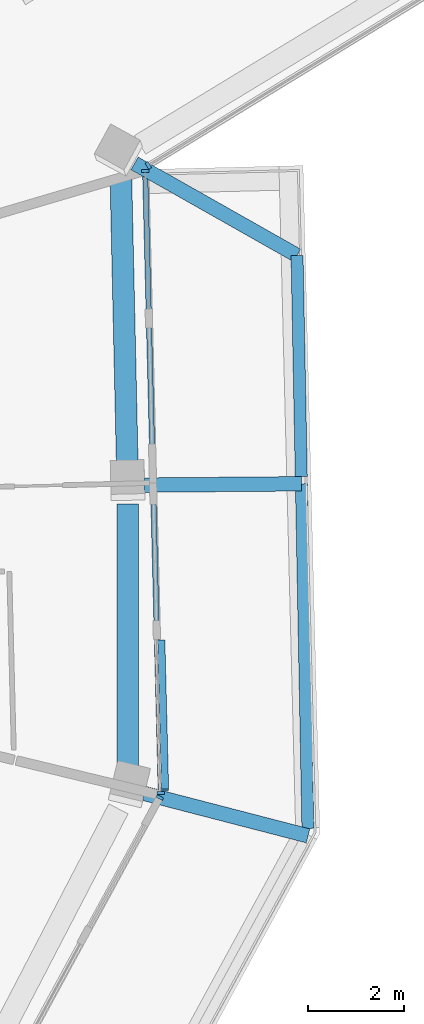
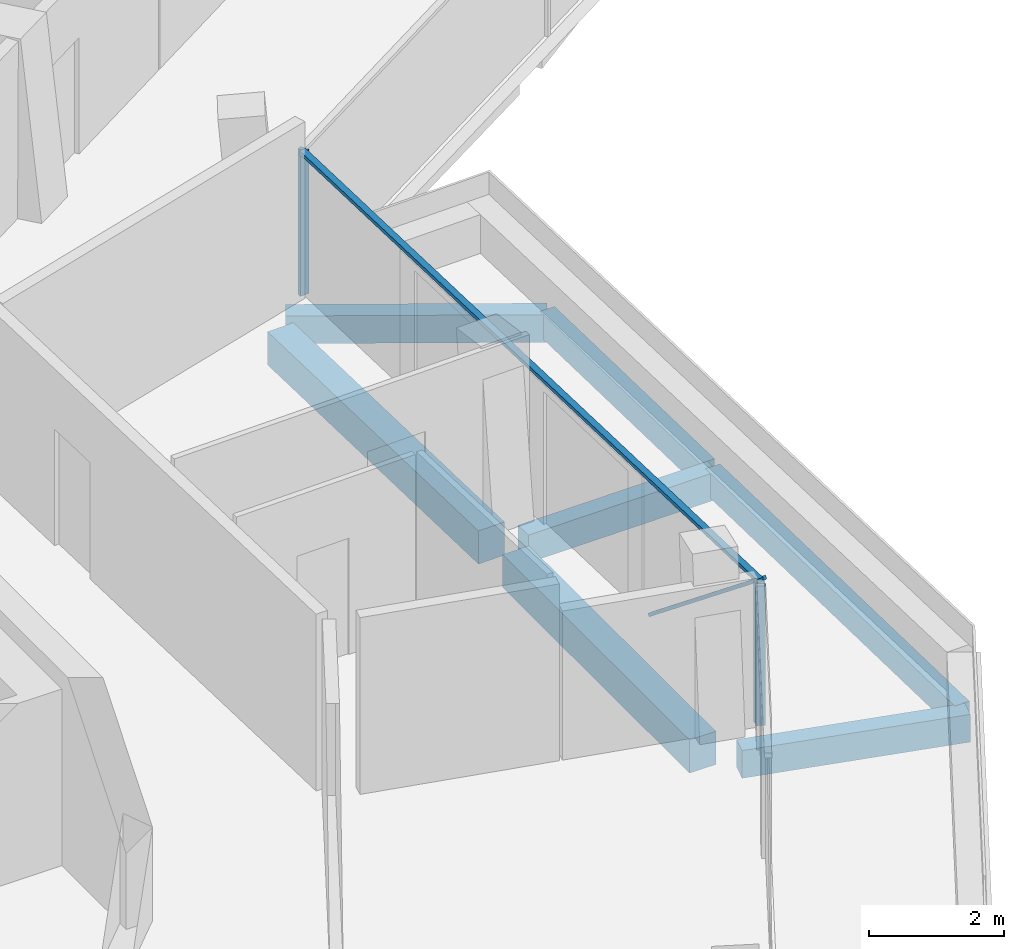
# One storey, part 7 of 26: 7 beams, 6 members, 3 elements without a shape of their own.
"""IFC4 building model written with IfcOpenShell, lengths in metres."""

from ifc_helpers import new_model, si_unit, direction, frame, origin, origin_2d, place, context, subcontext, project, spatial, rectangle, extrude, material, layer, layer_set, material_profile, profile_set, type_object, element, aggregate, save


model = new_model("IFC4")

# Units and contexts
model_context = context("Model", 3, precision=1e-05, world=origin(), true_north=direction((0.0, 1.0)))
body_context = subcontext(model_context, "Body", "Model", "MODEL_VIEW")
ifc_project = project(units=[si_unit("LENGTHUNIT", "METRE"), si_unit("AREAUNIT", "SQUARE_METRE"), si_unit("VOLUMEUNIT", "CUBIC_METRE"), si_unit("PLANEANGLEUNIT", "RADIAN"), si_unit("MASSUNIT", "GRAM", prefix="KILO")], contexts=[model_context])

# Site, building, storey
site_placement = place(None, origin())
site = spatial("IfcSite", under=ifc_project, at=site_placement, CompositionType="ELEMENT")
building_placement = place(site_placement, origin())
building = spatial("IfcBuilding", under=site, at=building_placement, Name="Verdalira Terraces Hotel", CompositionType="ELEMENT")
storey_placement = place(building_placement, frame((0.0, 0.0, 284.5)))
storey = spatial("IfcBuildingStorey", under=building, at=storey_placement, Name="L70", CompositionType="ELEMENT", Elevation=284.5)

# Beams
ifc_material_1 = material(Name="Concrete C40", Category="concrete")
ifc_material_profile_1 = material_profile(ifc_material_1, rectangle(XDim=0.300049, YDim=0.5, at=origin_2d()), Name="RC 300X500")
ifc_profile_set_1 = profile_set([ifc_material_profile_1], Name="Concrete C40")
beam_type_1 = type_object("IfcBeamType", Name="Balcony cantilever beam RC 300X500 C40", PredefinedType="BEAM", material=ifc_profile_set_1)
beam_1_placement = place(storey_placement, frame((23.999268, -5.831543, -0.560059), z_axis=(0.96806586, -0.250696013, 0.0), x_axis=(0.250696013, 0.96806586, 0.0)))
element("IfcBeam", 1, at=beam_1_placement, inside=storey, type_object=beam_type_1, Name="Balcony cantilever beam R26-3", PredefinedType="BEAM", context=body_context, shape_type="SweptSolid", body=[
    extrude(rectangle(XDim=0.300049, YDim=0.5, at=origin_2d()), origin(), (0.0, 0.0, 1.0), 3.501953),
])
beam_2_placement = place(storey_placement, frame((24.001465, 0.5625, -0.560059), z_axis=(0.999965254, 0.008336173, 0.0), x_axis=(-0.008336173, 0.999965254, 0.0)))
element("IfcBeam", 2, at=beam_2_placement, inside=storey, type_object=beam_type_1, Name="Balcony cantilever beam R26-4", PredefinedType="BEAM", context=body_context, shape_type="SweptSolid", body=[
    extrude(rectangle(XDim=0.300049, YDim=0.5, at=origin_2d()), origin(), (0.0, 0.0, 1.0), 3.250732),
])
beam_3_placement = place(storey_placement, frame((23.794189, 7.231445, -0.560059), z_axis=(0.870185405, -0.492724427, 0.0), x_axis=(0.492724427, 0.870185405, 0.0)))
element("IfcBeam", 3, at=beam_3_placement, inside=storey, type_object=beam_type_1, Name="Balcony cantilever beam R26-5", PredefinedType="BEAM", context=body_context, shape_type="SweptSolid", body=[
    extrude(rectangle(XDim=0.300049, YDim=0.5, at=origin_2d()), origin(), (0.0, 0.0, 1.0), 3.869873),
])
ifc_material_2 = material(Name="Concrete C40", Category="concrete")
ifc_material_profile_2 = material_profile(ifc_material_2, rectangle(XDim=0.25, YDim=0.449951, at=origin_2d()), Name="RC 250X450")
ifc_profile_set_2 = profile_set([ifc_material_profile_2], Name="Concrete C40")
beam_type_2 = type_object("IfcBeamType", Name="Balcony edge beam RC 250X450 C40", PredefinedType="BEAM", material=ifc_profile_set_2)
beam_4_placement = place(storey_placement, frame((27.386475, -6.553711, -0.534912), z_axis=(-0.018794315, 0.999823371, 0.0), x_axis=(-0.999823371, -0.018794315, 0.0)))
element("IfcBeam", 4, at=beam_4_placement, inside=storey, type_object=beam_type_2, Name="Balcony edge beam R26-3", PredefinedType="BEAM", context=body_context, shape_type="SweptSolid", body=[
    extrude(rectangle(XDim=0.25, YDim=0.449951, at=origin_2d()), origin(), (0.0, 0.0, 1.0), 7.144531),
])
beam_5_placement = place(storey_placement, frame((27.249268, 0.739502, -0.534912), z_axis=(-0.019111572, 0.999817357, 0.0), x_axis=(-0.999817357, -0.019111572, 0.0)))
element("IfcBeam", 5, at=beam_5_placement, inside=storey, type_object=beam_type_2, Name="Balcony edge beam R26-4", PredefinedType="BEAM", context=body_context, shape_type="SweptSolid", body=[
    extrude(rectangle(XDim=0.25, YDim=0.449951, at=origin_2d()), origin(), (0.0, 0.0, 1.0), 4.585938),
])

# Curtain wall, member
ifc_material_3 = material(Name="Clear glass", Category="glass")
ifc_layer_1 = layer(ifc_material_3, 0.14990234375)
ifc_layer_set_1 = layer_set([ifc_layer_1], Name="CW1 curtain wall")
curtain_wall_type_1 = type_object("IfcCurtainWallType", Name="CW1 curtain wall", PredefinedType="NOTDEFINED", material=ifc_layer_set_1)
curtain_wall_1_placement = place(storey_placement, origin())
curtain_wall_1 = element("IfcCurtainWall", 6, at=curtain_wall_1_placement, inside=storey, type_object=curtain_wall_type_1, Name="CW1 curtain wall L70 edge 26", PredefinedType="NOTDEFINED")
ifc_material_4 = material(Name="Terracotta frame", Category="masonry")
ifc_material_profile_3 = material_profile(ifc_material_4, rectangle(XDim=0.060059, YDim=0.149902, at=origin_2d()), Name="MU 60x150")
ifc_profile_set_3 = profile_set([ifc_material_profile_3], Name="Terracotta frame")
member_type_1 = type_object("IfcMemberType", Name="CW1 mullion 60x150", PredefinedType="MULLION", material=ifc_profile_set_3)
member_1_placement = place(storey_placement, frame((24.314697, -5.914062, 0.0), z_axis=(0.0, 0.0, 1.0), x_axis=(0.478078794, 0.878316951, 0.0)))
member_1 = element("IfcMember", 7, at=member_1_placement, type_object=member_type_1, Name="CW1 mullion", PredefinedType="MULLION", context=body_context, shape_type="SweptSolid", body=[
    extrude(rectangle(XDim=0.060059, YDim=0.149902, at=origin_2d()), origin(), (0.0, 0.0, 1.0), 2.524902),
])
aggregate(curtain_wall_1, [member_1])

# Curtain wall, members
curtain_wall_2_placement = place(storey_placement, origin())
curtain_wall_2 = element("IfcCurtainWall", 8, at=curtain_wall_2_placement, inside=storey, type_object=curtain_wall_type_1, Name="CW1 curtain wall L70 edge 27", PredefinedType="NOTDEFINED")
member_2_placement = place(storey_placement, frame((24.337158, -5.820068, 0.0), z_axis=(0.0, 0.0, 1.0), x_axis=(-0.025130095, 0.999684189, 0.0)))
member_2 = element("IfcMember", 9, at=member_2_placement, type_object=member_type_1, Name="CW1 mullion", PredefinedType="MULLION", context=body_context, shape_type="SweptSolid", body=[
    extrude(rectangle(XDim=0.060059, YDim=0.149902, at=origin_2d()), origin(), (0.0, 0.0, 1.0), 2.524902),
])
member_3_placement = place(storey_placement, frame((24.013184, 7.075684, 0.0), z_axis=(0.0, 0.0, 1.0), x_axis=(-0.025130095, 0.999684189, 0.0)))
member_3 = element("IfcMember", 10, at=member_3_placement, type_object=member_type_1, Name="CW1 mullion", PredefinedType="MULLION", context=body_context, shape_type="SweptSolid", body=[
    extrude(rectangle(XDim=0.060059, YDim=0.149902, at=origin_2d()), origin(), (0.0, 0.0, 1.0), 2.524902),
])
ifc_material_5 = material(Name="Terracotta frame", Category="masonry")
ifc_material_profile_4 = material_profile(ifc_material_5, rectangle(XDim=0.110107, YDim=0.064941, at=origin_2d()), Name="TR 65x110")
ifc_profile_set_4 = profile_set([ifc_material_profile_4], Name="Terracotta frame")
member_type_2 = type_object("IfcMemberType", Name="CW1 transom 65x110", PredefinedType="USERDEFINED", material=ifc_profile_set_4)
member_4_placement = place(storey_placement, frame((24.338135, -5.850098, 2.557617), z_axis=(-0.025130094, 0.999684189, 0.0), x_axis=(-0.999684189, -0.025130094, 0.0)))
member_4 = element("IfcMember", 11, at=member_4_placement, type_object=member_type_2, Name="CW1 transom", ObjectType="TRANSOM", PredefinedType="USERDEFINED", context=body_context, shape_type="SweptSolid", body=[
    extrude(rectangle(XDim=0.110107, YDim=0.064941, at=origin_2d()), origin(), (0.0, 0.0, 1.0), 12.959961),
])

# Curtain wall, member
ifc_material_6 = material(Name="Clear glass", Category="glass")
ifc_layer_2 = layer(ifc_material_6, 0.14990234375)
ifc_layer_set_2 = layer_set([ifc_layer_2], Name="CW2 curtain wall")
curtain_wall_type_2 = type_object("IfcCurtainWallType", Name="CW2 curtain wall", PredefinedType="NOTDEFINED", material=ifc_layer_set_2)
curtain_wall_3_placement = place(storey_placement, origin())
curtain_wall_3 = element("IfcCurtainWall", 12, at=curtain_wall_3_placement, inside=storey, type_object=curtain_wall_type_2, Name="CW2 curtain wall L70 edge 28", PredefinedType="NOTDEFINED")
ifc_material_7 = material(Name="Terracotta frame", Category="masonry")
ifc_material_profile_5 = material_profile(ifc_material_7, rectangle(XDim=0.070068, YDim=0.149902, at=origin_2d()), Name="MU 70x150")
ifc_profile_set_5 = profile_set([ifc_material_profile_5], Name="Terracotta frame")
member_type_3 = type_object("IfcMemberType", Name="CW2 mullion 70x150", PredefinedType="MULLION", material=ifc_profile_set_5)
member_5_placement = place(storey_placement, frame((24.078125, 7.189697, 0.0), z_axis=(0.0, 0.0, 1.0), x_axis=(0.853186856, 0.521605396, 0.0)))
member_5 = element("IfcMember", 13, at=member_5_placement, type_object=member_type_3, Name="CW2 mullion", PredefinedType="MULLION", context=body_context, shape_type="SweptSolid", body=[
    extrude(rectangle(XDim=0.070068, YDim=0.149902, at=origin_2d()), origin(), (0.0, 0.0, 1.0), 2.524902),
])
aggregate(curtain_wall_3, [member_5])

# Member
ifc_material_8 = material(Name="Terracotta frame", Category="masonry")
ifc_material_profile_6 = material_profile(ifc_material_8, rectangle(XDim=0.149902, YDim=0.060059, at=origin_2d()), Name="GB 60x150")
ifc_profile_set_6 = profile_set([ifc_material_profile_6], Name="Terracotta frame")
member_type_4 = type_object("IfcMemberType", Name="Diagonal glazing bar 60x150", PredefinedType="USERDEFINED", material=ifc_profile_set_6)
member_6_placement = place(storey_placement, frame((24.424805, -5.75708, 2.500244), z_axis=(-0.019614611, 0.780020044, -0.625447038), x_axis=(-0.999683982, -0.025138345, 0.0)))
member_6 = element("IfcMember", 14, at=member_6_placement, type_object=member_type_4, Name="Diagonal glazing bar", ObjectType="GLAZING BAR", PredefinedType="USERDEFINED", context=body_context, shape_type="SweptSolid", body=[
    extrude(rectangle(XDim=0.149902, YDim=0.060059, at=origin_2d()), origin(), (0.0, 0.0, 1.0), 3.958008),
])

aggregate(curtain_wall_2, [member_2, member_3, member_4, member_6])

# Beams
ifc_material_9 = material(Name="Concrete C40", Category="concrete")
ifc_material_profile_7 = material_profile(ifc_material_9, rectangle(XDim=0.449951, YDim=0.600098, at=origin_2d()), Name="RC 450X600")
ifc_profile_set_7 = profile_set([ifc_material_profile_7], Name="Concrete C40")
beam_type_3 = type_object("IfcBeamType", Name="Spandrel beam RC 450X600 C40", PredefinedType="SPANDREL", material=ifc_profile_set_7)
beam_6_placement = place(storey_placement, frame((23.6521, -5.351074, -0.610107), z_axis=(0.0, 1.0, 0.0), x_axis=(-1.0, 0.0, 0.0)))
element("IfcBeam", 15, at=beam_6_placement, inside=storey, type_object=beam_type_3, Name="Spandrel beam B17", PredefinedType="SPANDREL", context=body_context, shape_type="SweptSolid", body=[
    extrude(rectangle(XDim=0.449951, YDim=0.600098, at=origin_2d()), origin(), (0.0, 0.0, 1.0), 5.523682),
])
beam_7_placement = place(storey_placement, frame((23.644043, 0.880127, -0.610107), z_axis=(-0.022214031, 0.999753238, 0.0), x_axis=(-0.999753238, -0.022214031, 0.0)))
element("IfcBeam", 16, at=beam_7_placement, inside=storey, type_object=beam_type_3, Name="Spandrel beam B18", PredefinedType="SPANDREL", context=body_context, shape_type="SweptSolid", body=[
    extrude(rectangle(XDim=0.449951, YDim=0.600098, at=origin_2d()), origin(), (0.0, 0.0, 1.0), 6.011719),
])

save(model, "model.ifc")
